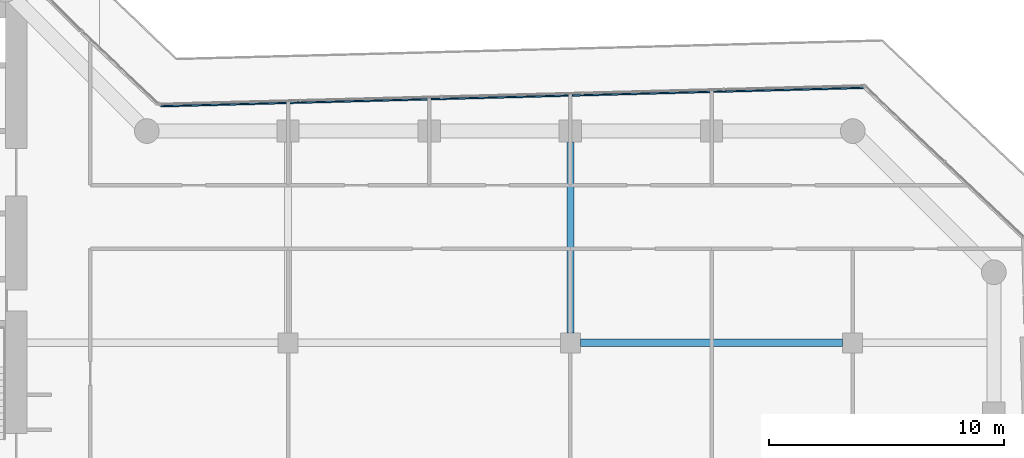
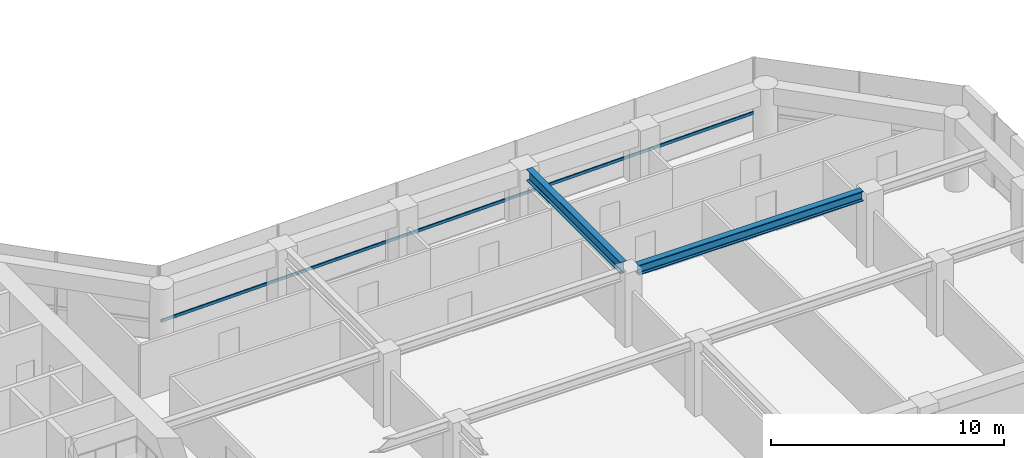
# One storey, part 11 of 29: 2 beams, 1 member, 1 element without a shape of its own.
"""IFC4 building model written with IfcOpenShell, lengths in metres."""

from ifc_helpers import new_model, si_unit, direction, frame, origin, origin_2d, place, context, subcontext, project, spatial, rectangle, i_section, extrude, material, layer, layer_set, material_profile, profile_set, type_object, element, aggregate, save


model = new_model("IFC4")

# Units and contexts
model_context = context("Model", 3, precision=1e-05, world=origin(), true_north=direction((0.0, 1.0)))
body_context = subcontext(model_context, "Body", "Model", "MODEL_VIEW")
ifc_project = project(units=[si_unit("LENGTHUNIT", "METRE"), si_unit("AREAUNIT", "SQUARE_METRE"), si_unit("VOLUMEUNIT", "CUBIC_METRE"), si_unit("PLANEANGLEUNIT", "RADIAN"), si_unit("MASSUNIT", "GRAM", prefix="KILO")], contexts=[model_context])

# Site, building, storey
site_placement = place(None, origin())
site = spatial("IfcSite", under=ifc_project, at=site_placement, CompositionType="ELEMENT")
building_placement = place(site_placement, origin())
building = spatial("IfcBuilding", under=site, at=building_placement, Name="Welwitschia Terrace Campus", CompositionType="ELEMENT")
storey_placement = place(building_placement, frame((0.0, 0.0, 58.39990234375)))
storey = spatial("IfcBuildingStorey", under=building, at=storey_placement, Name="L13", CompositionType="ELEMENT", Elevation=58.39990234375)

# Beams
ifc_material_1 = material(Name="Steel S355", Category="steel")
ifc_material_profile_1 = material_profile(ifc_material_1, i_section(OverallWidth=0.305908203125, OverallDepth=0.52392578125, WebThickness=0.02099609375, FlangeThickness=0.0400390625, FilletRadius=0.027099609375, at=origin_2d()))
ifc_profile_set_1 = profile_set([ifc_material_profile_1], Name="Steel S355")
beam_type_1 = type_object("IfcBeamType", Name="Interior girder HE 500 M", PredefinedType="BEAM", material=ifc_profile_set_1)
beam_1_placement = place(storey_placement, frame((48.425537109375, 11.0, 3.588134765625), z_axis=(1.0, 0.0, 0.0), x_axis=(0.0, 1.0, 0.0)))
element("IfcBeam", 1, at=beam_1_placement, inside=storey, type_object=beam_type_1, Name="Girder GB2", PredefinedType="BEAM", context=body_context, shape_type="SweptSolid", body=[
    extrude(i_section(OverallWidth=0.305908203125, OverallDepth=0.52392578125, WebThickness=0.02099609375, FlangeThickness=0.0400390625, FilletRadius=0.027099609375, at=origin_2d()), origin(), (0.0, 0.0, 1.0), 11.14892578125),
])
ifc_material_2 = material(Name="Steel S355", Category="steel")
ifc_material_profile_2 = material_profile(ifc_material_2, i_section(OverallWidth=0.300048828125, OverallDepth=0.60009765625, WebThickness=0.015380859375, FlangeThickness=0.030029296875, FilletRadius=0.027099609375, at=origin_2d()))
ifc_profile_set_2 = profile_set([ifc_material_profile_2], Name="Steel S355")
beam_type_2 = type_object("IfcBeamType", Name="Primary beam HE 600 B", PredefinedType="BEAM", material=ifc_profile_set_2)
beam_2_placement = place(storey_placement, frame((48.0, 19.5244140625, 3.550048828125), z_axis=(0.0, -1.0, 0.0), x_axis=(1.0, 0.0, 0.0)))
element("IfcBeam", 2, at=beam_2_placement, inside=storey, type_object=beam_type_2, Name="Primary beam PB2", PredefinedType="BEAM", context=body_context, shape_type="SweptSolid", body=[
    extrude(i_section(OverallWidth=0.300048828125, OverallDepth=0.60009765625, WebThickness=0.015380859375, FlangeThickness=0.030029296875, FilletRadius=0.027099609375, at=origin_2d()), origin(), (0.0, 0.0, 1.0), 8.098876953125),
])

# Curtain wall, member
ifc_material_3 = material(Name="Bronze anodised aluminium", Category="aluminium")
ifc_layer = layer(ifc_material_3, 0.1201171875)
ifc_layer_set = layer_set([ifc_layer], Name="Bronze anodised aluminium")
curtain_wall_type = type_object("IfcCurtainWallType", Name="Curtain wall CW2 tower 6000", PredefinedType="NOTDEFINED", material=ifc_layer_set)
curtain_wall_placement = place(storey_placement, origin())
curtain_wall = element("IfcCurtainWall", 3, at=curtain_wall_placement, inside=storey, type_object=curtain_wall_type, Name="CW L13.7.0", PredefinedType="NOTDEFINED")
ifc_material_4 = material(Name="Bronze anodised aluminium", Category="aluminium")
ifc_material_profile_3 = material_profile(ifc_material_4, rectangle(XDim=0.06005859375, YDim=0.14990234375, at=origin_2d()))
ifc_profile_set_3 = profile_set([ifc_material_profile_3], Name="Bronze anodised aluminium")
member_type = type_object("IfcMemberType", Name="Transom 60x150", PredefinedType="USERDEFINED", material=ifc_profile_set_3)
member_placement = place(storey_placement, frame((60.45361328125, 21.8359375, 1.0), z_axis=(-0.999657269972, -0.026179048706, 0.0), x_axis=(0.026179048706, -0.999657269972, 0.0)))
member = element("IfcMember", 4, at=member_placement, type_object=member_type, Name="Transom L13.7.0", ObjectType="TRANSOM", PredefinedType="USERDEFINED", context=body_context, shape_type="SweptSolid", body=[
    extrude(rectangle(XDim=0.06005859375, YDim=0.14990234375, at=origin_2d()), origin(), (0.0, 0.0, 1.0), 29.8798828125),
])
aggregate(curtain_wall, [member])

save(model, "model.ifc")
